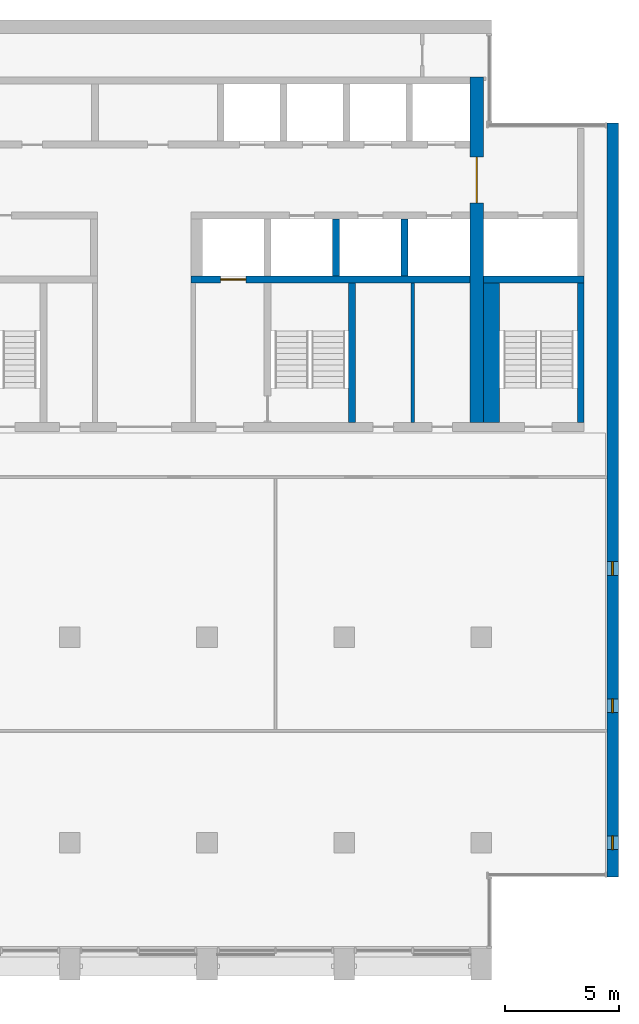
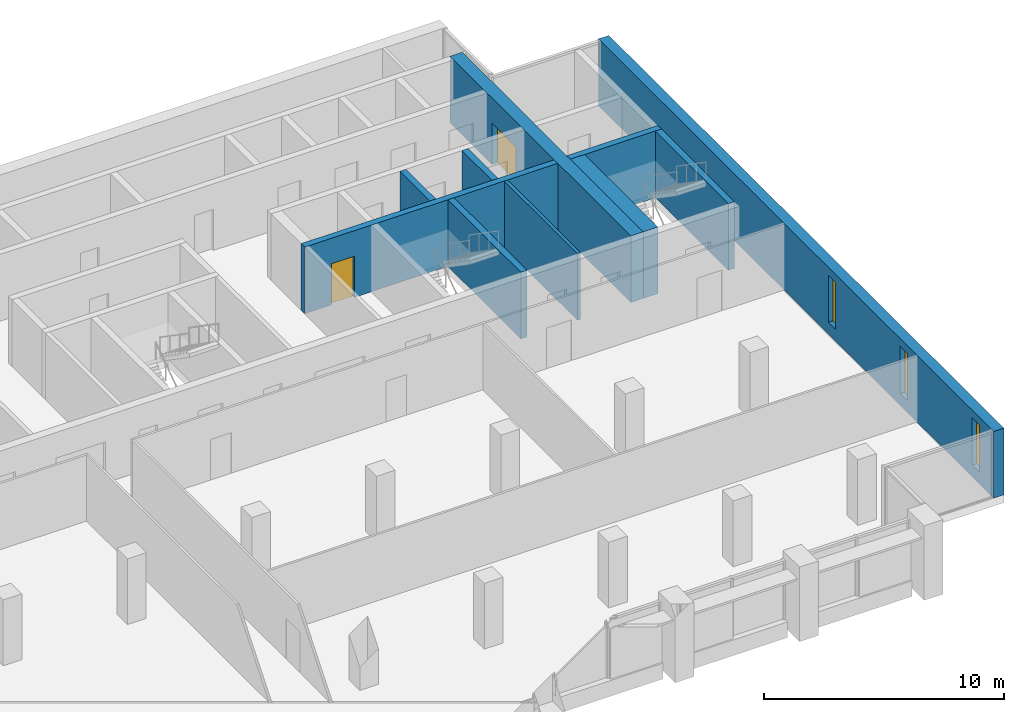
# One storey, part 9 of 14: 10 walls, 3 windows, 2 doors, 5 openings.
"""IFC4 building model written with IfcOpenShell, lengths in metres."""

from ifc_helpers import new_model, si_unit, direction, frame, frame_2d, origin, place, context, subcontext, project, spatial, rectangle, extrude, material, layer, layer_set, type_object, element, fill, save


model = new_model("IFC4")

# Units and contexts
model_context = context("Model", 3, precision=1e-05, world=origin(), true_north=direction((0.0, 1.0)))
body_context = subcontext(model_context, "Body", "Model", "MODEL_VIEW")
ifc_project = project(units=[si_unit("LENGTHUNIT", "METRE"), si_unit("AREAUNIT", "SQUARE_METRE"), si_unit("VOLUMEUNIT", "CUBIC_METRE"), si_unit("PLANEANGLEUNIT", "RADIAN"), si_unit("MASSUNIT", "GRAM", prefix="KILO")], contexts=[model_context])

# Site, building, storey
site_placement = place(None, origin())
site = spatial("IfcSite", under=ifc_project, at=site_placement, CompositionType="ELEMENT")
building_placement = place(site_placement, origin())
building = spatial("IfcBuilding", under=site, at=building_placement, Name="Calvaro Tower", CompositionType="ELEMENT")
storey_placement = place(building_placement, frame((0.0, 0.0, 243.14990234375)))
storey = spatial("IfcBuildingStorey", under=building, at=storey_placement, Name="L61", CompositionType="ELEMENT", Elevation=243.14990234375)

# Walls
ifc_material_1 = material(Name="Blockwork partition", Category="masonry")
ifc_layer_1 = layer(ifc_material_1, 0.14990234375)
ifc_layer_set_1 = layer_set([ifc_layer_1], Name="Blockwork partition")
wall_type_1 = type_object("IfcWallType", Name="Core partition 150 EI 60", PredefinedType="PARTITIONING", material=ifc_layer_set_1)
wall_1_placement = place(storey_placement, frame((57.0, 28.39990234375, 0.0), z_axis=(0.0, 0.0, 1.0), x_axis=(0.0, 1.0, 0.0)))
element("IfcWall", 1, at=wall_1_placement, inside=storey, type_object=wall_type_1, Name="Core partition", PredefinedType="PARTITIONING", context=body_context, shape_type="SweptSolid", body=[
    extrude(rectangle(XDim=6.10009765625, YDim=0.14990234375, at=frame_2d((3.050048828125, 0.0))), origin(), (0.0, 0.0, 1.0), 3.400146484375),
])
ifc_material_2 = material(Name="Concrete C40/50", Category="concrete")
ifc_layer_2 = layer(ifc_material_2, 0.300048828125)
ifc_layer_set_2 = layer_set([ifc_layer_2], Name="Concrete C40/50")
wall_type_2 = type_object("IfcWallType", Name="Core wall C40/50 300", PredefinedType="SHEAR", material=ifc_layer_set_2)
for number, where, z_axis, x_axis, name in (
    (2, (54.35009765625, 28.39990234375, 0.0), (0.0, 0.0, 1.0), (0.0, 1.0, 0.0), "Core wall, stair enclosure"),
    (3, (64.35009765625, 28.39990234375, 0.0), (0.0, 0.0, 1.0), (0.0, 1.0, 0.0), "Core wall, stair enclosure"),
):
    element("IfcWall", number, at=place(storey_placement, frame(where, z_axis=z_axis, x_axis=x_axis)), inside=storey, type_object=wall_type_2, Name=name, PredefinedType="SHEAR", context=body_context, shape_type="SweptSolid", body=[
        extrude(rectangle(XDim=6.10009765625, YDim=0.300048828125, at=frame_2d((3.050048828125, 0.0))), origin(), (0.0, 0.0, 1.0), 3.400146484375),
    ])

# Wall, opening, door
wall_2_placement = place(storey_placement, frame((47.300048828125, 34.64990234375, 0.0), z_axis=(0.0, 0.0, 1.0), x_axis=(1.0, 0.0, 0.0)))
wall_2 = element("IfcWall", 4, at=wall_2_placement, inside=storey, type_object=wall_type_2, Name="Core wall, lift shaft", PredefinedType="SHEAR", context=body_context, shape_type="SweptSolid", body=[
    extrude(rectangle(XDim=12.199951171875, YDim=0.300048828125, at=frame_2d((6.10009765625, 0.0))), origin(), (0.0, 0.0, 1.0), 3.400146484375),
])
opening_1_placement = place(wall_2_placement, frame((1.300048828125, 0.0, 0.0)))
opening_1 = element("IfcOpeningElement", 5, at=opening_1_placement, cuts=wall_2, Name="Opening FF2", PredefinedType="OPENING", context=body_context, shape_type="SweptSolid", body=[
    extrude(rectangle(XDim=1.10009765625, YDim=2.10009765625, at=frame_2d((0.550048828125, 1.050048828125))), frame((0.0, 0.159912109375, 0.0), z_axis=(0.0, -1.0, 0.0), x_axis=(1.0, 0.0, 0.0)), (0.0, 0.0, 1.0), 0.320068359375),
])
ifc_material_3 = material(Name="Stainless steel", Category="steel")
door_type_1 = type_object("IfcDoorType", Name="Landing door 1100 E 60", OperationType="SLIDING_TO_LEFT", PredefinedType="DOOR", material=ifc_material_3)
door_1_placement = place(opening_1_placement, origin())
door_1 = element("IfcDoor", 6, at=door_1_placement, inside=storey, type_object=door_type_1, Name="Landing door FF2", OperationType="SLIDING_TO_LEFT", OverallHeight=2.10009765625, OverallWidth=1.10009765625, PredefinedType="DOOR", context=body_context, shape_type="SweptSolid", body=[
    extrude(rectangle(XDim=1.10009765625, YDim=2.10009765625, at=frame_2d((0.550048828125, 1.050048828125))), frame((0.0, 0.02490234375, 0.0), z_axis=(0.0, -1.0, 0.0), x_axis=(1.0, 0.0, 0.0)), (0.0, 0.0, 1.0), 0.050048828125),
])
fill(opening_1, door_1)

# Walls
wall_3_placement = place(storey_placement, frame((60.10009765625, 34.64990234375, 0.0), z_axis=(0.0, 0.0, 1.0), x_axis=(1.0, 0.0, 0.0)))
element("IfcWall", 7, at=wall_3_placement, inside=storey, type_object=wall_type_2, Name="Core wall, lift shaft", PredefinedType="SHEAR", context=body_context, shape_type="SweptSolid", body=[
    extrude(rectangle(XDim=4.39990234375, YDim=0.300048828125, at=frame_2d((2.199951171875, 0.0))), origin(), (0.0, 0.0, 1.0), 3.400146484375),
])
for number, where, z_axis, x_axis, name in (
    (8, (53.64990234375, 34.800048828125, 0.0), (0.0, 0.0, 1.0), (0.0, 1.0, 0.0), "Core wall, lift shaft"),
    (9, (56.64990234375, 34.800048828125, 0.0), (0.0, 0.0, 1.0), (0.0, 1.0, 0.0), "Core wall, lift shaft"),
):
    element("IfcWall", number, at=place(storey_placement, frame(where, z_axis=z_axis, x_axis=x_axis)), inside=storey, type_object=wall_type_2, Name=name, PredefinedType="SHEAR", context=body_context, shape_type="SweptSolid", body=[
        extrude(rectangle(XDim=2.5, YDim=0.300048828125, at=frame_2d((1.25, 0.0))), origin(), (0.0, 0.0, 1.0), 3.400146484375),
    ])

# Wall, opening, door
ifc_material_4 = material(Name="Concrete C40/50", Category="concrete")
ifc_layer_3 = layer(ifc_material_4, 0.60009765625)
ifc_layer_set_3 = layer_set([ifc_layer_3], Name="Concrete C40/50")
wall_type_3 = type_object("IfcWallType", Name="Core wall C40/50 600", PredefinedType="SHEAR", material=ifc_layer_set_3)
wall_4_placement = place(storey_placement, frame((59.800048828125, 28.39990234375, 0.0), z_axis=(0.0, 0.0, 1.0), x_axis=(0.0, 1.0, 0.0)))
wall_4 = element("IfcWall", 10, at=wall_4_placement, inside=storey, type_object=wall_type_3, Name="Core wall, cross shear wall", PredefinedType="SHEAR", context=body_context, shape_type="SweptSolid", body=[
    extrude(rectangle(XDim=15.10009765625, YDim=0.60009765625, at=frame_2d((7.550048828125, 0.0))), origin(), (0.0, 0.0, 1.0), 3.400146484375),
])
opening_2_placement = place(wall_4_placement, frame((9.60009765625, 0.0, 0.0)))
opening_2 = element("IfcOpeningElement", 11, at=opening_2_placement, cuts=wall_4, Name="Opening DD20D", PredefinedType="OPENING", context=body_context, shape_type="SweptSolid", body=[
    extrude(rectangle(XDim=2.0, YDim=2.10009765625, at=frame_2d((1.0, 1.050048828125))), frame((0.0, 0.31005859375, 0.0), z_axis=(0.0, -1.0, 0.0), x_axis=(1.0, 0.0, 0.0)), (0.0, 0.0, 1.0), 0.6201171875),
])
ifc_material_5 = material(Name="Steel door set", Category="steel")
door_type_2 = type_object("IfcDoorType", Name="Lobby double door 2000 FD30S", OperationType="DOUBLE_DOOR_SINGLE_SWING", PredefinedType="DOOR", material=ifc_material_5)
door_2_placement = place(opening_2_placement, origin())
door_2 = element("IfcDoor", 12, at=door_2_placement, inside=storey, type_object=door_type_2, Name="Lobby double door", OperationType="DOUBLE_DOOR_SINGLE_SWING", OverallHeight=2.10009765625, OverallWidth=2.0, PredefinedType="DOOR", context=body_context, shape_type="SweptSolid", body=[
    extrude(rectangle(XDim=2.0, YDim=2.10009765625, at=frame_2d((1.0, 1.050048828125))), frame((0.0, 0.02490234375, 0.0), z_axis=(0.0, -1.0, 0.0), x_axis=(1.0, 0.0, 0.0)), (0.0, 0.0, 1.0), 0.050048828125),
])
fill(opening_2, door_2)

# Wall
ifc_material_6 = material(Name="Concrete C40/50", Category="concrete")
ifc_layer_4 = layer(ifc_material_6, 0.699951171875)
ifc_layer_set_4 = layer_set([ifc_layer_4], Name="Concrete C40/50")
wall_type_4 = type_object("IfcWallType", Name="Core wall C40/50 700", PredefinedType="SHEAR", material=ifc_layer_set_4)
wall_5_placement = place(storey_placement, frame((60.449951171875, 28.39990234375, 0.0), z_axis=(0.0, 0.0, 1.0), x_axis=(0.0, 1.0, 0.0)))
element("IfcWall", 13, at=wall_5_placement, inside=storey, type_object=wall_type_4, Name="Core wall, stair enclosure", PredefinedType="SHEAR", context=body_context, shape_type="SweptSolid", body=[
    extrude(rectangle(XDim=6.10009765625, YDim=0.699951171875, at=frame_2d((3.050048828125, 0.0))), origin(), (0.0, 0.0, 1.0), 3.400146484375),
])

# Wall, openings, windows
ifc_material_7 = material(Name="Concrete C40/50", Category="concrete")
ifc_layer_5 = layer(ifc_material_7, 0.5)
ifc_layer_set_5 = layer_set([ifc_layer_5], Name="Concrete C40/50")
wall_type_5 = type_object("IfcWallType", Name="End wall 500 C40/50", PredefinedType="SHEAR", material=ifc_layer_set_5)
wall_6_placement = place(storey_placement, frame((65.75, 8.5, 0.0), z_axis=(0.0, 0.0, 1.0), x_axis=(0.0, 1.0, 0.0)))
wall_6 = element("IfcWall", 14, at=wall_6_placement, inside=storey, type_object=wall_type_5, Name="End shear wall", PredefinedType="SHEAR", context=body_context, shape_type="SweptSolid", body=[
    extrude(rectangle(XDim=33.0, YDim=0.5, at=frame_2d((16.5, 0.0))), origin(), (0.0, 0.0, 1.0), 3.400146484375),
])
opening_3_placement = place(wall_6_placement, frame((1.199951171875, 0.0, 0.60009765625)))
opening_3 = element("IfcOpeningElement", 15, at=opening_3_placement, cuts=wall_6, Name="Opening WE01", PredefinedType="OPENING", context=body_context, shape_type="SweptSolid", body=[
    extrude(rectangle(XDim=0.60009765625, YDim=2.39990234375, at=frame_2d((0.300048828125, 1.199951171875))), frame((0.0, 0.260009765625, 0.0), z_axis=(0.0, -1.0, 0.0), x_axis=(1.0, 0.0, 0.0)), (0.0, 0.0, 1.0), 0.52001953125),
])
opening_4_placement = place(wall_6_placement, frame((7.199951171875, 0.0, 0.60009765625)))
opening_4 = element("IfcOpeningElement", 16, at=opening_4_placement, cuts=wall_6, Name="Opening WE02", PredefinedType="OPENING", context=body_context, shape_type="SweptSolid", body=[
    extrude(rectangle(XDim=0.60009765625, YDim=2.39990234375, at=frame_2d((0.300048828125, 1.199951171875))), frame((0.0, 0.260009765625, 0.0), z_axis=(0.0, -1.0, 0.0), x_axis=(1.0, 0.0, 0.0)), (0.0, 0.0, 1.0), 0.52001953125),
])
opening_5_placement = place(wall_6_placement, frame((13.199951171875, 0.0, 0.60009765625)))
opening_5 = element("IfcOpeningElement", 17, at=opening_5_placement, cuts=wall_6, Name="Opening WE03", PredefinedType="OPENING", context=body_context, shape_type="SweptSolid", body=[
    extrude(rectangle(XDim=0.60009765625, YDim=2.39990234375, at=frame_2d((0.300048828125, 1.199951171875))), frame((0.0, 0.260009765625, 0.0), z_axis=(0.0, -1.0, 0.0), x_axis=(1.0, 0.0, 0.0)), (0.0, 0.0, 1.0), 0.52001953125),
])
ifc_material_8 = material(Name="Glass", Category="glass")
window_type = type_object("IfcWindowType", Name="Slit window 600 x 2400", PartitioningType="SINGLE_PANEL", PredefinedType="WINDOW", material=ifc_material_8)
window_1_placement = place(opening_3_placement, origin())
window_1 = element("IfcWindow", 18, at=window_1_placement, inside=storey, type_object=window_type, Name="Window WE01", OverallHeight=2.39990234375, OverallWidth=0.60009765625, PartitioningType="SINGLE_PANEL", PredefinedType="WINDOW", context=body_context, shape_type="SweptSolid", body=[
    extrude(rectangle(XDim=0.60009765625, YDim=2.39990234375, at=frame_2d((0.300048828125, 1.199951171875))), frame((0.0, 0.030029296875, 0.0), z_axis=(0.0, -1.0, 0.0), x_axis=(1.0, 0.0, 0.0)), (0.0, 0.0, 1.0), 0.06005859375),
])
fill(opening_3, window_1)
window_2_placement = place(opening_4_placement, origin())
window_2 = element("IfcWindow", 19, at=window_2_placement, inside=storey, type_object=window_type, Name="Window WE02", OverallHeight=2.39990234375, OverallWidth=0.60009765625, PartitioningType="SINGLE_PANEL", PredefinedType="WINDOW", context=body_context, shape_type="SweptSolid", body=[
    extrude(rectangle(XDim=0.60009765625, YDim=2.39990234375, at=frame_2d((0.300048828125, 1.199951171875))), frame((0.0, 0.030029296875, 0.0), z_axis=(0.0, -1.0, 0.0), x_axis=(1.0, 0.0, 0.0)), (0.0, 0.0, 1.0), 0.06005859375),
])
fill(opening_4, window_2)
window_3_placement = place(opening_5_placement, origin())
window_3 = element("IfcWindow", 20, at=window_3_placement, inside=storey, type_object=window_type, Name="Window WE03", OverallHeight=2.39990234375, OverallWidth=0.60009765625, PartitioningType="SINGLE_PANEL", PredefinedType="WINDOW", context=body_context, shape_type="SweptSolid", body=[
    extrude(rectangle(XDim=0.60009765625, YDim=2.39990234375, at=frame_2d((0.300048828125, 1.199951171875))), frame((0.0, 0.030029296875, 0.0), z_axis=(0.0, -1.0, 0.0), x_axis=(1.0, 0.0, 0.0)), (0.0, 0.0, 1.0), 0.06005859375),
])
fill(opening_5, window_3)

save(model, "model.ifc")
